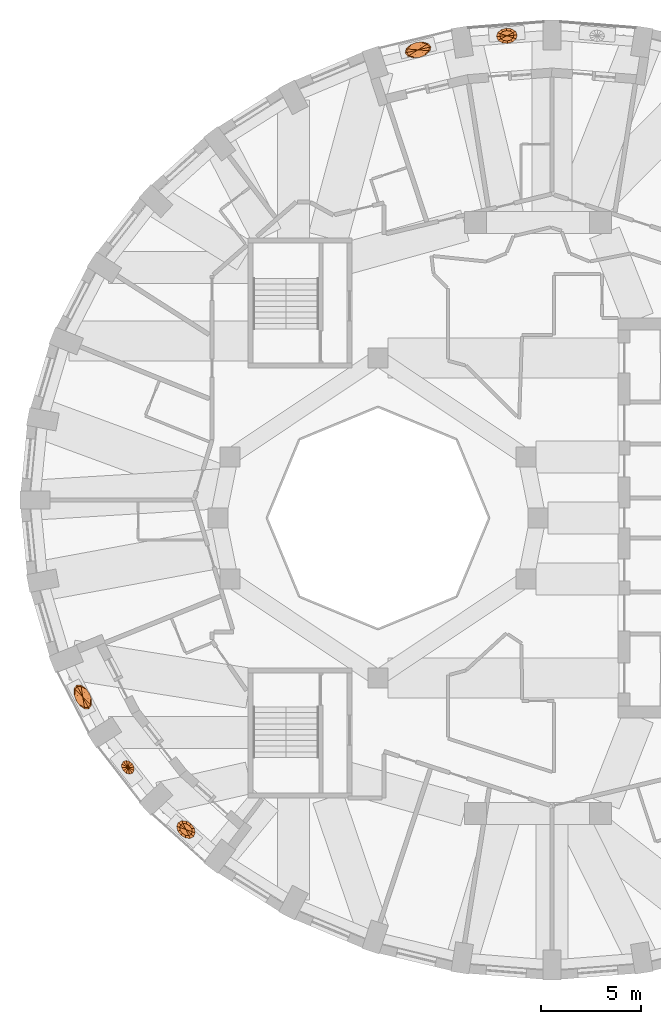
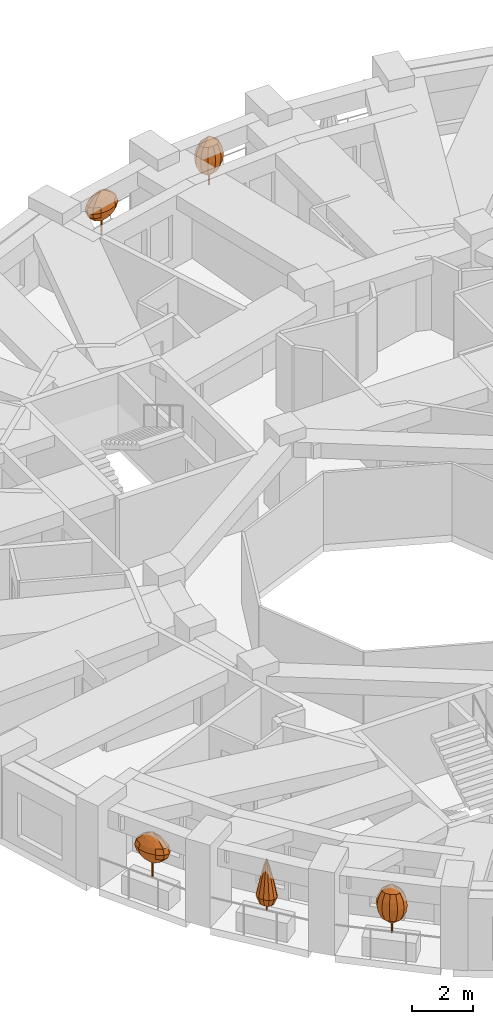
# One storey, part 11 of 12: 5 geographic elements.
"""IFC4 building model written with IfcOpenShell, lengths in metres."""

from ifc_helpers import new_model, si_unit, direction, frame, origin, place, context, subcontext, project, spatial, faceted_brep, material, constituent, constituent_set, type_object, element, save


model = new_model("IFC4")

# Units and contexts
model_context = context("Model", 3, precision=1e-05, world=origin(), true_north=direction((0.0, 1.0)))
body_context = subcontext(model_context, "Body", "Model", "MODEL_VIEW")
ifc_project = project(units=[si_unit("LENGTHUNIT", "METRE"), si_unit("AREAUNIT", "SQUARE_METRE"), si_unit("VOLUMEUNIT", "CUBIC_METRE"), si_unit("PLANEANGLEUNIT", "RADIAN"), si_unit("MASSUNIT", "GRAM", prefix="KILO")], contexts=[model_context])

# Site, building, storey
site_placement = place(None, origin())
site = spatial("IfcSite", under=ifc_project, at=site_placement, CompositionType="ELEMENT")
building_placement = place(site_placement, origin())
building = spatial("IfcBuilding", under=site, at=building_placement, Name="Taillehof Tower", CompositionType="ELEMENT")
storey_placement = place(building_placement, frame((0.0, 0.0, 225.5)))
storey = spatial("IfcBuildingStorey", under=building, at=storey_placement, Name="L64", CompositionType="ELEMENT", Elevation=225.5)

# Geographic elements
ifc_material_1 = material(Name="Tree bark", Category="timber")
ifc_constituent_1 = constituent(ifc_material_1, Name="Trunk", Category="timber")
ifc_material_2 = material(Name="Tree foliage")
ifc_constituent_2 = constituent(ifc_material_2, Name="Crown")
ifc_constituent_set_1 = constituent_set(constituents=[ifc_constituent_1, ifc_constituent_2], Name="Tree TR2 Fastigiate yew")
geographic_element_type_1 = type_object("IfcGeographicElementType", Name="Tree TR2 Fastigiate yew", PredefinedType="USERDEFINED", material=ifc_constituent_set_1)
geographic_element_1_placement = place(storey_placement, frame((-1.555419921875, 24.110595703125, 0.75)))
element("IfcGeographicElement", 1, at=geographic_element_1_placement, inside=storey, type_object=geographic_element_type_1, Name="Tree TR2 Fastigiate yew", ObjectType="TREE", PredefinedType="USERDEFINED", context=body_context, shape_type="Brep", body=[
    faceted_brep([(0.034912109375, 0.0, 0.0), (0.024658203125, 0.024658203125, 0.0), (0.024658203125, 0.024658203125, 0.909912109375), (0.034912109375, 0.0, 0.909912109375), (0.0, 0.034912109375, 0.0), (0.0, 0.034912109375, 0.909912109375), (-0.024658203125, 0.024658203125, 0.0), (-0.024658203125, 0.024658203125, 0.909912109375), (-0.034912109375, 0.0, 0.0), (-0.034912109375, 0.0, 0.909912109375), (-0.024658203125, -0.024658203125, 0.0), (-0.024658203125, -0.024658203125, 0.909912109375), (0.0, -0.034912109375, 0.0), (0.0, -0.034912109375, 0.909912109375), (0.024658203125, -0.024658203125, 0.0), (0.024658203125, -0.024658203125, 0.909912109375)], [[[0, 1, 2, 3]], [[1, 4, 5, 2]], [[4, 6, 7, 5]], [[6, 8, 9, 7]], [[8, 10, 11, 9]], [[10, 12, 13, 11]], [[12, 14, 15, 13]], [[14, 0, 3, 15]], [[14, 12, 10, 8, 6, 4, 1, 0]], [[3, 2, 5, 7, 9, 11, 13, 15]]]),
    faceted_brep([(0.0, 0.0, 0.35009765625), (-0.2978515625, -0.153564453125, 0.61669921875), (-0.355712890625, -0.028076171875, 0.61669921875), (-0.16015625, -0.238037109375, 0.61669921875), (0.020263671875, -0.2587890625, 0.61669921875), (0.195556640625, -0.2099609375, 0.61669921875), (0.318359375, -0.105224609375, 0.61669921875), (0.355712890625, 0.028076171875, 0.61669921875), (0.2978515625, 0.153564453125, 0.61669921875), (0.16015625, 0.238037109375, 0.61669921875), (-0.020263671875, 0.2587890625, 0.61669921875), (-0.195556640625, 0.2099609375, 0.61669921875), (-0.318359375, 0.105224609375, 0.61669921875), (-0.403076171875, -0.207763671875, 0.88330078125), (-0.481201171875, -0.037841796875, 0.88330078125), (-0.216796875, -0.322021484375, 0.88330078125), (0.027587890625, -0.35009765625, 0.88330078125), (0.264404296875, -0.2841796875, 0.88330078125), (0.4306640625, -0.14208984375, 0.88330078125), (0.481201171875, 0.037841796875, 0.88330078125), (0.403076171875, 0.207763671875, 0.88330078125), (0.216796875, 0.322021484375, 0.88330078125), (-0.027587890625, 0.35009765625, 0.88330078125), (-0.264404296875, 0.2841796875, 0.88330078125), (-0.4306640625, 0.14208984375, 0.88330078125), (-0.436279296875, -0.224853515625, 1.14990234375), (-0.52099609375, -0.041015625, 1.14990234375), (-0.234619140625, -0.3486328125, 1.14990234375), (0.02978515625, -0.37890625, 1.14990234375), (0.286376953125, -0.3076171875, 1.14990234375), (0.466064453125, -0.15380859375, 1.14990234375), (0.52099609375, 0.041015625, 1.14990234375), (0.436279296875, 0.224853515625, 1.14990234375), (0.234619140625, 0.3486328125, 1.14990234375), (-0.02978515625, 0.37890625, 1.14990234375), (-0.286376953125, 0.3076171875, 1.14990234375), (-0.466064453125, 0.15380859375, 1.14990234375), (-0.403076171875, -0.207763671875, 1.416748046875), (-0.481201171875, -0.037841796875, 1.416748046875), (-0.216796875, -0.322021484375, 1.416748046875), (0.027587890625, -0.35009765625, 1.416748046875), (0.264404296875, -0.2841796875, 1.416748046875), (0.4306640625, -0.14208984375, 1.416748046875), (0.481201171875, 0.037841796875, 1.416748046875), (0.403076171875, 0.207763671875, 1.416748046875), (0.216796875, 0.322021484375, 1.416748046875), (-0.027587890625, 0.35009765625, 1.416748046875), (-0.264404296875, 0.2841796875, 1.416748046875), (-0.4306640625, 0.14208984375, 1.416748046875), (-0.2978515625, -0.153564453125, 1.683349609375), (-0.355712890625, -0.028076171875, 1.683349609375), (-0.16015625, -0.238037109375, 1.683349609375), (0.020263671875, -0.2587890625, 1.683349609375), (0.195556640625, -0.2099609375, 1.683349609375), (0.318359375, -0.105224609375, 1.683349609375), (0.355712890625, 0.028076171875, 1.683349609375), (0.2978515625, 0.153564453125, 1.683349609375), (0.16015625, 0.238037109375, 1.683349609375), (-0.020263671875, 0.2587890625, 1.683349609375), (-0.195556640625, 0.2099609375, 1.683349609375), (-0.318359375, 0.105224609375, 1.683349609375), (0.0, 0.0, 1.949951171875)], [[[0, 1, 2]], [[0, 3, 1]], [[0, 4, 3]], [[0, 5, 4]], [[0, 6, 5]], [[0, 7, 6]], [[0, 8, 7]], [[0, 9, 8]], [[0, 10, 9]], [[0, 11, 10]], [[0, 12, 11]], [[0, 2, 12]], [[2, 1, 13, 14]], [[1, 3, 15, 13]], [[3, 4, 16, 15]], [[4, 5, 17, 16]], [[5, 6, 18, 17]], [[6, 7, 19, 18]], [[7, 8, 20, 19]], [[8, 9, 21, 20]], [[9, 10, 22, 21]], [[10, 11, 23, 22]], [[11, 12, 24, 23]], [[12, 2, 14, 24]], [[14, 13, 25, 26]], [[13, 15, 27, 25]], [[15, 16, 28, 27]], [[16, 17, 29, 28]], [[17, 18, 30, 29]], [[18, 19, 31, 30]], [[19, 20, 32, 31]], [[20, 21, 33, 32]], [[21, 22, 34, 33]], [[22, 23, 35, 34]], [[23, 24, 36, 35]], [[24, 14, 26, 36]], [[26, 25, 37, 38]], [[25, 27, 39, 37]], [[27, 28, 40, 39]], [[28, 29, 41, 40]], [[29, 30, 42, 41]], [[30, 31, 43, 42]], [[31, 32, 44, 43]], [[32, 33, 45, 44]], [[33, 34, 46, 45]], [[34, 35, 47, 46]], [[35, 36, 48, 47]], [[36, 26, 38, 48]], [[38, 37, 49, 50]], [[37, 39, 51, 49]], [[39, 40, 52, 51]], [[40, 41, 53, 52]], [[41, 42, 54, 53]], [[42, 43, 55, 54]], [[43, 44, 56, 55]], [[44, 45, 57, 56]], [[45, 46, 58, 57]], [[46, 47, 59, 58]], [[47, 48, 60, 59]], [[48, 38, 50, 60]], [[50, 49, 61]], [[49, 51, 61]], [[51, 52, 61]], [[52, 53, 61]], [[53, 54, 61]], [[54, 55, 61]], [[55, 56, 61]], [[56, 57, 61]], [[57, 58, 61]], [[58, 59, 61]], [[59, 60, 61]], [[60, 50, 61]]]),
])
geographic_element_2_placement = place(storey_placement, frame((-17.60205078125, -15.57861328125, 0.75)))
element("IfcGeographicElement", 2, at=geographic_element_2_placement, inside=storey, type_object=geographic_element_type_1, Name="Tree TR2 Fastigiate yew", ObjectType="TREE", PredefinedType="USERDEFINED", context=body_context, shape_type="Brep", body=[
    faceted_brep([(0.034912109375, 0.0, 0.0), (0.024658203125, 0.024658203125, 0.0), (0.024658203125, 0.024658203125, 0.909912109375), (0.034912109375, 0.0, 0.909912109375), (0.0, 0.034912109375, 0.0), (0.0, 0.034912109375, 0.909912109375), (-0.024658203125, 0.024658203125, 0.0), (-0.024658203125, 0.024658203125, 0.909912109375), (-0.034912109375, 0.0, 0.0), (-0.034912109375, 0.0, 0.909912109375), (-0.024658203125, -0.024658203125, 0.0), (-0.024658203125, -0.024658203125, 0.909912109375), (0.0, -0.034912109375, 0.0), (0.0, -0.034912109375, 0.909912109375), (0.024658203125, -0.024658203125, 0.0), (0.024658203125, -0.024658203125, 0.909912109375)], [[[0, 1, 2, 3]], [[1, 4, 5, 2]], [[4, 6, 7, 5]], [[6, 8, 9, 7]], [[8, 10, 11, 9]], [[10, 12, 13, 11]], [[12, 14, 15, 13]], [[14, 0, 3, 15]], [[14, 12, 10, 8, 6, 4, 1, 0]], [[3, 2, 5, 7, 9, 11, 13, 15]]]),
    faceted_brep([(0.0, 0.0, 0.35009765625), (0.316650390625, -0.110107421875, 0.61669921875), (0.265380859375, -0.23876953125, 0.61669921875), (0.282958984375, 0.0478515625, 0.61669921875), (0.173583984375, 0.19287109375, 0.61669921875), (0.017578125, 0.286376953125, 0.61669921875), (-0.14306640625, 0.30322265625, 0.61669921875), (-0.265380859375, 0.23876953125, 0.61669921875), (-0.316650390625, 0.110107421875, 0.61669921875), (-0.282958984375, -0.0478515625, 0.61669921875), (-0.173583984375, -0.19287109375, 0.61669921875), (-0.017578125, -0.286376953125, 0.61669921875), (0.14306640625, -0.30322265625, 0.61669921875), (0.42822265625, -0.149169921875, 0.88330078125), (0.35888671875, -0.32275390625, 0.88330078125), (0.3828125, 0.064697265625, 0.88330078125), (0.23486328125, 0.260986328125, 0.88330078125), (0.02392578125, 0.387451171875, 0.88330078125), (-0.193359375, 0.41015625, 0.88330078125), (-0.35888671875, 0.32275390625, 0.88330078125), (-0.42822265625, 0.149169921875, 0.88330078125), (-0.3828125, -0.064697265625, 0.88330078125), (-0.23486328125, -0.260986328125, 0.88330078125), (-0.02392578125, -0.387451171875, 0.88330078125), (0.193359375, -0.41015625, 0.88330078125), (0.46337890625, -0.161376953125, 1.14990234375), (0.388427734375, -0.349365234375, 1.14990234375), (0.414306640625, 0.06982421875, 1.14990234375), (0.254150390625, 0.282470703125, 1.14990234375), (0.02587890625, 0.41943359375, 1.14990234375), (-0.209228515625, 0.44384765625, 1.14990234375), (-0.388427734375, 0.349365234375, 1.14990234375), (-0.46337890625, 0.161376953125, 1.14990234375), (-0.414306640625, -0.06982421875, 1.14990234375), (-0.254150390625, -0.282470703125, 1.14990234375), (-0.02587890625, -0.41943359375, 1.14990234375), (0.209228515625, -0.44384765625, 1.14990234375), (0.42822265625, -0.149169921875, 1.416748046875), (0.35888671875, -0.32275390625, 1.416748046875), (0.3828125, 0.064697265625, 1.416748046875), (0.23486328125, 0.260986328125, 1.416748046875), (0.02392578125, 0.387451171875, 1.416748046875), (-0.193359375, 0.41015625, 1.416748046875), (-0.35888671875, 0.32275390625, 1.416748046875), (-0.42822265625, 0.149169921875, 1.416748046875), (-0.3828125, -0.064697265625, 1.416748046875), (-0.23486328125, -0.260986328125, 1.416748046875), (-0.02392578125, -0.387451171875, 1.416748046875), (0.193359375, -0.41015625, 1.416748046875), (0.316650390625, -0.110107421875, 1.683349609375), (0.265380859375, -0.23876953125, 1.683349609375), (0.282958984375, 0.0478515625, 1.683349609375), (0.173583984375, 0.19287109375, 1.683349609375), (0.017578125, 0.286376953125, 1.683349609375), (-0.14306640625, 0.30322265625, 1.683349609375), (-0.265380859375, 0.23876953125, 1.683349609375), (-0.316650390625, 0.110107421875, 1.683349609375), (-0.282958984375, -0.0478515625, 1.683349609375), (-0.173583984375, -0.19287109375, 1.683349609375), (-0.017578125, -0.286376953125, 1.683349609375), (0.14306640625, -0.30322265625, 1.683349609375), (0.0, 0.0, 1.949951171875)], [[[0, 1, 2]], [[0, 3, 1]], [[0, 4, 3]], [[0, 5, 4]], [[0, 6, 5]], [[0, 7, 6]], [[0, 8, 7]], [[0, 9, 8]], [[0, 10, 9]], [[0, 11, 10]], [[0, 12, 11]], [[0, 2, 12]], [[2, 1, 13, 14]], [[1, 3, 15, 13]], [[3, 4, 16, 15]], [[4, 5, 17, 16]], [[5, 6, 18, 17]], [[6, 7, 19, 18]], [[7, 8, 20, 19]], [[8, 9, 21, 20]], [[9, 10, 22, 21]], [[10, 11, 23, 22]], [[11, 12, 24, 23]], [[12, 2, 14, 24]], [[14, 13, 25, 26]], [[13, 15, 27, 25]], [[15, 16, 28, 27]], [[16, 17, 29, 28]], [[17, 18, 30, 29]], [[18, 19, 31, 30]], [[19, 20, 32, 31]], [[20, 21, 33, 32]], [[21, 22, 34, 33]], [[22, 23, 35, 34]], [[23, 24, 36, 35]], [[24, 14, 26, 36]], [[26, 25, 37, 38]], [[25, 27, 39, 37]], [[27, 28, 40, 39]], [[28, 29, 41, 40]], [[29, 30, 42, 41]], [[30, 31, 43, 42]], [[31, 32, 44, 43]], [[32, 33, 45, 44]], [[33, 34, 46, 45]], [[34, 35, 47, 46]], [[35, 36, 48, 47]], [[36, 26, 38, 48]], [[38, 37, 49, 50]], [[37, 39, 51, 49]], [[39, 40, 52, 51]], [[40, 41, 53, 52]], [[41, 42, 54, 53]], [[42, 43, 55, 54]], [[43, 44, 56, 55]], [[44, 45, 57, 56]], [[45, 46, 58, 57]], [[46, 47, 59, 58]], [[47, 48, 60, 59]], [[48, 38, 50, 60]], [[50, 49, 61]], [[49, 51, 61]], [[51, 52, 61]], [[52, 53, 61]], [[53, 54, 61]], [[54, 55, 61]], [[55, 56, 61]], [[56, 57, 61]], [[57, 58, 61]], [[58, 59, 61]], [[59, 60, 61]], [[60, 50, 61]]]),
])
ifc_material_3 = material(Name="Tree bark", Category="timber")
ifc_constituent_3 = constituent(ifc_material_3, Name="Trunk", Category="timber")
ifc_material_4 = material(Name="Tree foliage")
ifc_constituent_4 = constituent(ifc_material_4, Name="Crown")
ifc_constituent_set_2 = constituent_set(constituents=[ifc_constituent_3, ifc_constituent_4], Name="Tree TR4 Sea buckthorn standard")
geographic_element_type_2 = type_object("IfcGeographicElementType", Name="Tree TR4 Sea buckthorn standard", PredefinedType="USERDEFINED", material=ifc_constituent_set_2)
geographic_element_3_placement = place(storey_placement, frame((-5.997802734375, 23.406005859375, 0.75)))
element("IfcGeographicElement", 3, at=geographic_element_3_placement, inside=storey, type_object=geographic_element_type_2, Name="Tree TR4 Sea buckthorn standard", ObjectType="TREE", PredefinedType="USERDEFINED", context=body_context, shape_type="Brep", body=[
    faceted_brep([(0.030029296875, 0.0, 0.0), (0.021240234375, 0.021240234375, 0.0), (0.021240234375, 0.021240234375, 0.98095703125), (0.030029296875, 0.0, 0.98095703125), (0.0, 0.030029296875, 0.0), (0.0, 0.030029296875, 0.98095703125), (-0.021240234375, 0.021240234375, 0.0), (-0.021240234375, 0.021240234375, 0.98095703125), (-0.030029296875, 0.0, 0.0), (-0.030029296875, 0.0, 0.98095703125), (-0.021240234375, -0.021240234375, 0.0), (-0.021240234375, -0.021240234375, 0.98095703125), (0.0, -0.030029296875, 0.0), (0.0, -0.030029296875, 0.98095703125), (0.021240234375, -0.021240234375, 0.0), (0.021240234375, -0.021240234375, 0.98095703125)], [[[0, 1, 2, 3]], [[1, 4, 5, 2]], [[4, 6, 7, 5]], [[6, 8, 9, 7]], [[8, 10, 11, 9]], [[10, 12, 13, 11]], [[12, 14, 15, 13]], [[14, 0, 3, 15]], [[14, 12, 10, 8, 6, 4, 1, 0]], [[3, 2, 5, 7, 9, 11, 13, 15]]]),
    faceted_brep([(0.0, 0.0, 0.5400390625), (-0.2958984375, -0.18359375, 0.75), (-0.371337890625, -0.089599609375, 0.75), (-0.141357421875, -0.228515625, 0.75), (0.051025390625, -0.212158203125, 0.75), (0.22998046875, -0.138916015625, 0.75), (0.34716796875, -0.028564453125, 0.75), (0.371337890625, 0.089599609375, 0.75), (0.2958984375, 0.18359375, 0.75), (0.141357421875, 0.228515625, 0.75), (-0.051025390625, 0.212158203125, 0.75), (-0.22998046875, 0.138916015625, 0.75), (-0.34716796875, 0.028564453125, 0.75), (-0.459228515625, -0.284912109375, 0.9599609375), (-0.576171875, -0.138916015625, 0.9599609375), (-0.219482421875, -0.3544921875, 0.9599609375), (0.079345703125, -0.329345703125, 0.9599609375), (0.35693359375, -0.2158203125, 0.9599609375), (0.538818359375, -0.04443359375, 0.9599609375), (0.576171875, 0.138916015625, 0.9599609375), (0.459228515625, 0.284912109375, 0.9599609375), (0.219482421875, 0.3544921875, 0.9599609375), (-0.079345703125, 0.329345703125, 0.9599609375), (-0.35693359375, 0.2158203125, 0.9599609375), (-0.538818359375, 0.04443359375, 0.9599609375), (-0.515380859375, -0.319580078125, 1.169921875), (-0.646484375, -0.15576171875, 1.169921875), (-0.24609375, -0.39794921875, 1.169921875), (0.089111328125, -0.369384765625, 1.169921875), (0.400390625, -0.241943359375, 1.169921875), (0.6044921875, -0.0498046875, 1.169921875), (0.646484375, 0.15576171875, 1.169921875), (0.515380859375, 0.319580078125, 1.169921875), (0.24609375, 0.39794921875, 1.169921875), (-0.089111328125, 0.369384765625, 1.169921875), (-0.400390625, 0.241943359375, 1.169921875), (-0.6044921875, 0.0498046875, 1.169921875), (-0.459228515625, -0.284912109375, 1.3798828125), (-0.576171875, -0.138916015625, 1.3798828125), (-0.219482421875, -0.3544921875, 1.3798828125), (0.079345703125, -0.329345703125, 1.3798828125), (0.35693359375, -0.2158203125, 1.3798828125), (0.538818359375, -0.04443359375, 1.3798828125), (0.576171875, 0.138916015625, 1.3798828125), (0.459228515625, 0.284912109375, 1.3798828125), (0.219482421875, 0.3544921875, 1.3798828125), (-0.079345703125, 0.329345703125, 1.3798828125), (-0.35693359375, 0.2158203125, 1.3798828125), (-0.538818359375, 0.04443359375, 1.3798828125), (-0.2958984375, -0.18359375, 1.590087890625), (-0.371337890625, -0.089599609375, 1.590087890625), (-0.141357421875, -0.228515625, 1.590087890625), (0.051025390625, -0.212158203125, 1.590087890625), (0.22998046875, -0.138916015625, 1.590087890625), (0.34716796875, -0.028564453125, 1.590087890625), (0.371337890625, 0.089599609375, 1.590087890625), (0.2958984375, 0.18359375, 1.590087890625), (0.141357421875, 0.228515625, 1.590087890625), (-0.051025390625, 0.212158203125, 1.590087890625), (-0.22998046875, 0.138916015625, 1.590087890625), (-0.34716796875, 0.028564453125, 1.590087890625), (0.0, 0.0, 1.800048828125)], [[[0, 1, 2]], [[0, 3, 1]], [[0, 4, 3]], [[0, 5, 4]], [[0, 6, 5]], [[0, 7, 6]], [[0, 8, 7]], [[0, 9, 8]], [[0, 10, 9]], [[0, 11, 10]], [[0, 12, 11]], [[0, 2, 12]], [[2, 1, 13, 14]], [[1, 3, 15, 13]], [[3, 4, 16, 15]], [[4, 5, 17, 16]], [[5, 6, 18, 17]], [[6, 7, 19, 18]], [[7, 8, 20, 19]], [[8, 9, 21, 20]], [[9, 10, 22, 21]], [[10, 11, 23, 22]], [[11, 12, 24, 23]], [[12, 2, 14, 24]], [[14, 13, 25, 26]], [[13, 15, 27, 25]], [[15, 16, 28, 27]], [[16, 17, 29, 28]], [[17, 18, 30, 29]], [[18, 19, 31, 30]], [[19, 20, 32, 31]], [[20, 21, 33, 32]], [[21, 22, 34, 33]], [[22, 23, 35, 34]], [[23, 24, 36, 35]], [[24, 14, 26, 36]], [[26, 25, 37, 38]], [[25, 27, 39, 37]], [[27, 28, 40, 39]], [[28, 29, 41, 40]], [[29, 30, 42, 41]], [[30, 31, 43, 42]], [[31, 32, 44, 43]], [[32, 33, 45, 44]], [[33, 34, 46, 45]], [[34, 35, 47, 46]], [[35, 36, 48, 47]], [[36, 26, 38, 48]], [[38, 37, 49, 50]], [[37, 39, 51, 49]], [[39, 40, 52, 51]], [[40, 41, 53, 52]], [[41, 42, 54, 53]], [[42, 43, 55, 54]], [[43, 44, 56, 55]], [[44, 45, 57, 56]], [[45, 46, 58, 57]], [[46, 47, 59, 58]], [[47, 48, 60, 59]], [[48, 38, 50, 60]], [[50, 49, 61]], [[49, 51, 61]], [[51, 52, 61]], [[52, 53, 61]], [[53, 54, 61]], [[54, 55, 61]], [[55, 56, 61]], [[56, 57, 61]], [[57, 58, 61]], [[58, 59, 61]], [[59, 60, 61]], [[60, 50, 61]]]),
])
geographic_element_4_placement = place(storey_placement, frame((-22.760986328125, -8.9501953125, 0.75)))
element("IfcGeographicElement", 4, at=geographic_element_4_placement, inside=storey, type_object=geographic_element_type_2, Name="Tree TR4 Sea buckthorn standard", ObjectType="TREE", PredefinedType="USERDEFINED", context=body_context, shape_type="Brep", body=[
    faceted_brep([(0.030029296875, 0.0, 0.0), (0.021240234375, 0.021240234375, 0.0), (0.021240234375, 0.021240234375, 0.98095703125), (0.030029296875, 0.0, 0.98095703125), (0.0, 0.030029296875, 0.0), (0.0, 0.030029296875, 0.98095703125), (-0.021240234375, 0.021240234375, 0.0), (-0.021240234375, 0.021240234375, 0.98095703125), (-0.030029296875, 0.0, 0.0), (-0.030029296875, 0.0, 0.98095703125), (-0.021240234375, -0.021240234375, 0.0), (-0.021240234375, -0.021240234375, 0.98095703125), (0.0, -0.030029296875, 0.0), (0.0, -0.030029296875, 0.98095703125), (0.021240234375, -0.021240234375, 0.0), (0.021240234375, -0.021240234375, 0.98095703125)], [[[0, 1, 2, 3]], [[1, 4, 5, 2]], [[4, 6, 7, 5]], [[6, 8, 9, 7]], [[8, 10, 11, 9]], [[10, 12, 13, 11]], [[12, 14, 15, 13]], [[14, 0, 3, 15]], [[14, 12, 10, 8, 6, 4, 1, 0]], [[3, 2, 5, 7, 9, 11, 13, 15]]]),
    faceted_brep([(0.0, 0.0, 0.5400390625), (0.2490234375, -0.243408203125, 0.75), (0.17578125, -0.339111328125, 0.75), (0.255615234375, -0.08251953125, 0.75), (0.19384765625, 0.100341796875, 0.75), (0.079833984375, 0.256591796875, 0.75), (-0.055419921875, 0.343994140625, 0.75), (-0.17578125, 0.339111328125, 0.75), (-0.2490234375, 0.243408203125, 0.75), (-0.255615234375, 0.08251953125, 0.75), (-0.19384765625, -0.100341796875, 0.75), (-0.079833984375, -0.256591796875, 0.75), (0.055419921875, -0.343994140625, 0.75), (0.386474609375, -0.377685546875, 0.9599609375), (0.272705078125, -0.526123046875, 0.9599609375), (0.396728515625, -0.128173828125, 0.9599609375), (0.30078125, 0.15576171875, 0.9599609375), (0.1240234375, 0.398193359375, 0.9599609375), (-0.0859375, 0.53369140625, 0.9599609375), (-0.272705078125, 0.526123046875, 0.9599609375), (-0.386474609375, 0.377685546875, 0.9599609375), (-0.396728515625, 0.128173828125, 0.9599609375), (-0.30078125, -0.15576171875, 0.9599609375), (-0.1240234375, -0.398193359375, 0.9599609375), (0.0859375, -0.53369140625, 0.9599609375), (0.433837890625, -0.423828125, 1.169921875), (0.30615234375, -0.59033203125, 1.169921875), (0.445068359375, -0.143798828125, 1.169921875), (0.33740234375, 0.1748046875, 1.169921875), (0.13916015625, 0.446533203125, 1.169921875), (-0.096435546875, 0.5986328125, 1.169921875), (-0.30615234375, 0.59033203125, 1.169921875), (-0.433837890625, 0.423828125, 1.169921875), (-0.445068359375, 0.143798828125, 1.169921875), (-0.33740234375, -0.1748046875, 1.169921875), (-0.13916015625, -0.446533203125, 1.169921875), (0.096435546875, -0.5986328125, 1.169921875), (0.386474609375, -0.377685546875, 1.3798828125), (0.272705078125, -0.526123046875, 1.3798828125), (0.396728515625, -0.128173828125, 1.3798828125), (0.30078125, 0.15576171875, 1.3798828125), (0.1240234375, 0.398193359375, 1.3798828125), (-0.0859375, 0.53369140625, 1.3798828125), (-0.272705078125, 0.526123046875, 1.3798828125), (-0.386474609375, 0.377685546875, 1.3798828125), (-0.396728515625, 0.128173828125, 1.3798828125), (-0.30078125, -0.15576171875, 1.3798828125), (-0.1240234375, -0.398193359375, 1.3798828125), (0.0859375, -0.53369140625, 1.3798828125), (0.2490234375, -0.243408203125, 1.590087890625), (0.17578125, -0.339111328125, 1.590087890625), (0.255615234375, -0.08251953125, 1.590087890625), (0.19384765625, 0.100341796875, 1.590087890625), (0.079833984375, 0.256591796875, 1.590087890625), (-0.055419921875, 0.343994140625, 1.590087890625), (-0.17578125, 0.339111328125, 1.590087890625), (-0.2490234375, 0.243408203125, 1.590087890625), (-0.255615234375, 0.08251953125, 1.590087890625), (-0.19384765625, -0.100341796875, 1.590087890625), (-0.079833984375, -0.256591796875, 1.590087890625), (0.055419921875, -0.343994140625, 1.590087890625), (0.0, 0.0, 1.800048828125)], [[[0, 1, 2]], [[0, 3, 1]], [[0, 4, 3]], [[0, 5, 4]], [[0, 6, 5]], [[0, 7, 6]], [[0, 8, 7]], [[0, 9, 8]], [[0, 10, 9]], [[0, 11, 10]], [[0, 12, 11]], [[0, 2, 12]], [[2, 1, 13, 14]], [[1, 3, 15, 13]], [[3, 4, 16, 15]], [[4, 5, 17, 16]], [[5, 6, 18, 17]], [[6, 7, 19, 18]], [[7, 8, 20, 19]], [[8, 9, 21, 20]], [[9, 10, 22, 21]], [[10, 11, 23, 22]], [[11, 12, 24, 23]], [[12, 2, 14, 24]], [[14, 13, 25, 26]], [[13, 15, 27, 25]], [[15, 16, 28, 27]], [[16, 17, 29, 28]], [[17, 18, 30, 29]], [[18, 19, 31, 30]], [[19, 20, 32, 31]], [[20, 21, 33, 32]], [[21, 22, 34, 33]], [[22, 23, 35, 34]], [[23, 24, 36, 35]], [[24, 14, 26, 36]], [[26, 25, 37, 38]], [[25, 27, 39, 37]], [[27, 28, 40, 39]], [[28, 29, 41, 40]], [[29, 30, 42, 41]], [[30, 31, 43, 42]], [[31, 32, 44, 43]], [[32, 33, 45, 44]], [[33, 34, 46, 45]], [[34, 35, 47, 46]], [[35, 36, 48, 47]], [[36, 26, 38, 48]], [[38, 37, 49, 50]], [[37, 39, 51, 49]], [[39, 40, 52, 51]], [[40, 41, 53, 52]], [[41, 42, 54, 53]], [[42, 43, 55, 54]], [[43, 44, 56, 55]], [[44, 45, 57, 56]], [[45, 46, 58, 57]], [[46, 47, 59, 58]], [[47, 48, 60, 59]], [[48, 38, 50, 60]], [[50, 49, 61]], [[49, 51, 61]], [[51, 52, 61]], [[52, 53, 61]], [[53, 54, 61]], [[54, 55, 61]], [[55, 56, 61]], [[56, 57, 61]], [[57, 58, 61]], [[58, 59, 61]], [[59, 60, 61]], [[60, 50, 61]]]),
])
ifc_material_5 = material(Name="Tree bark", Category="timber")
ifc_constituent_5 = constituent(ifc_material_5, Name="Trunk", Category="timber")
ifc_material_6 = material(Name="Tree foliage")
ifc_constituent_6 = constituent(ifc_material_6, Name="Crown")
ifc_constituent_set_3 = constituent_set(constituents=[ifc_constituent_5, ifc_constituent_6], Name="Tree TR5 Columnar juniper")
geographic_element_type_3 = type_object("IfcGeographicElementType", Name="Tree TR5 Columnar juniper", PredefinedType="USERDEFINED", material=ifc_constituent_set_3)
geographic_element_5_placement = place(storey_placement, frame((-20.50341796875, -12.468017578125, 0.75)))
element("IfcGeographicElement", 5, at=geographic_element_5_placement, inside=storey, type_object=geographic_element_type_3, Name="Tree TR5 Columnar juniper", ObjectType="TREE", PredefinedType="USERDEFINED", context=body_context, shape_type="Brep", body=[
    faceted_brep([(0.02490234375, 0.0, 0.0), (0.017578125, 0.017578125, 0.0), (0.017578125, 0.017578125, 0.929931640625), (0.02490234375, 0.0, 0.929931640625), (0.0, 0.02490234375, 0.0), (0.0, 0.02490234375, 0.929931640625), (-0.017578125, 0.017578125, 0.0), (-0.017578125, 0.017578125, 0.929931640625), (-0.02490234375, 0.0, 0.0), (-0.02490234375, 0.0, 0.929931640625), (-0.017578125, -0.017578125, 0.0), (-0.017578125, -0.017578125, 0.929931640625), (0.0, -0.02490234375, 0.0), (0.0, -0.02490234375, 0.929931640625), (0.017578125, -0.017578125, 0.0), (0.017578125, -0.017578125, 0.929931640625)], [[[0, 1, 2, 3]], [[1, 4, 5, 2]], [[4, 6, 7, 5]], [[6, 8, 9, 7]], [[8, 10, 11, 9]], [[10, 12, 13, 11]], [[12, 14, 15, 13]], [[14, 0, 3, 15]], [[14, 12, 10, 8, 6, 4, 1, 0]], [[3, 2, 5, 7, 9, 11, 13, 15]]]),
    faceted_brep([(0.152099609375, -0.1953125, 0.300048828125), (0.20751953125, -0.110107421875, 0.300048828125), (0.309814453125, -0.164306640625, 0.60009765625), (0.22705078125, -0.29150390625, 0.60009765625), (0.20751953125, 0.004638671875, 0.300048828125), (0.309814453125, 0.007080078125, 0.60009765625), (0.15185546875, 0.1181640625, 0.300048828125), (0.226806640625, 0.176513671875, 0.60009765625), (0.055419921875, 0.199951171875, 0.300048828125), (0.0830078125, 0.298583984375, 0.60009765625), (-0.0556640625, 0.228271484375, 0.300048828125), (-0.083251953125, 0.3408203125, 0.60009765625), (-0.152099609375, 0.1953125, 0.300048828125), (-0.22705078125, 0.29150390625, 0.60009765625), (-0.20751953125, 0.110107421875, 0.300048828125), (-0.309814453125, 0.164306640625, 0.60009765625), (-0.20751953125, -0.004638671875, 0.300048828125), (-0.309814453125, -0.007080078125, 0.60009765625), (-0.15185546875, -0.1181640625, 0.300048828125), (-0.226806640625, -0.176513671875, 0.60009765625), (-0.055419921875, -0.199951171875, 0.300048828125), (-0.0830078125, -0.298583984375, 0.60009765625), (0.0556640625, -0.228271484375, 0.300048828125), (0.083251953125, -0.3408203125, 0.60009765625), (0.25927734375, -0.137451171875, 0.89990234375), (0.18994140625, -0.243896484375, 0.89990234375), (0.25927734375, 0.005859375, 0.89990234375), (0.189697265625, 0.147705078125, 0.89990234375), (0.0693359375, 0.249755859375, 0.89990234375), (-0.069580078125, 0.28515625, 0.89990234375), (-0.18994140625, 0.243896484375, 0.89990234375), (-0.25927734375, 0.137451171875, 0.89990234375), (-0.25927734375, -0.005859375, 0.89990234375), (-0.189697265625, -0.147705078125, 0.89990234375), (-0.0693359375, -0.249755859375, 0.89990234375), (0.069580078125, -0.28515625, 0.89990234375), (0.2060546875, -0.109130859375, 1.199951171875), (0.15087890625, -0.19384765625, 1.199951171875), (0.205810546875, 0.004638671875, 1.199951171875), (0.150634765625, 0.1171875, 1.199951171875), (0.05517578125, 0.198486328125, 1.199951171875), (-0.05517578125, 0.2265625, 1.199951171875), (-0.15087890625, 0.19384765625, 1.199951171875), (-0.2060546875, 0.109130859375, 1.199951171875), (-0.205810546875, -0.004638671875, 1.199951171875), (-0.150634765625, -0.1171875, 1.199951171875), (-0.05517578125, -0.198486328125, 1.199951171875), (0.05517578125, -0.2265625, 1.199951171875), (0.14892578125, -0.078857421875, 1.5), (0.109130859375, -0.14013671875, 1.5), (0.14892578125, 0.00341796875, 1.5), (0.10888671875, 0.084716796875, 1.5), (0.039794921875, 0.1435546875, 1.5), (-0.0400390625, 0.163818359375, 1.5), (-0.109130859375, 0.14013671875, 1.5), (-0.14892578125, 0.078857421875, 1.5), (-0.14892578125, -0.00341796875, 1.5), (-0.10888671875, -0.084716796875, 1.5), (-0.039794921875, -0.1435546875, 1.5), (0.0400390625, -0.163818359375, 1.5), (0.08544921875, -0.04541015625, 1.800048828125), (0.062744140625, -0.08056640625, 1.800048828125), (0.08544921875, 0.001953125, 1.800048828125), (0.0625, 0.048828125, 1.800048828125), (0.02294921875, 0.08251953125, 1.800048828125), (-0.02294921875, 0.093994140625, 1.800048828125), (-0.062744140625, 0.08056640625, 1.800048828125), (-0.08544921875, 0.04541015625, 1.800048828125), (-0.08544921875, -0.001953125, 1.800048828125), (-0.0625, -0.048828125, 1.800048828125), (-0.02294921875, -0.08251953125, 1.800048828125), (0.02294921875, -0.093994140625, 1.800048828125), (0.0, 0.0, 2.10009765625)], [[[0, 1, 2, 3]], [[1, 4, 5, 2]], [[4, 6, 7, 5]], [[6, 8, 9, 7]], [[8, 10, 11, 9]], [[10, 12, 13, 11]], [[12, 14, 15, 13]], [[14, 16, 17, 15]], [[16, 18, 19, 17]], [[18, 20, 21, 19]], [[20, 22, 23, 21]], [[22, 0, 3, 23]], [[3, 2, 24, 25]], [[2, 5, 26, 24]], [[5, 7, 27, 26]], [[7, 9, 28, 27]], [[9, 11, 29, 28]], [[11, 13, 30, 29]], [[13, 15, 31, 30]], [[15, 17, 32, 31]], [[17, 19, 33, 32]], [[19, 21, 34, 33]], [[21, 23, 35, 34]], [[23, 3, 25, 35]], [[25, 24, 36, 37]], [[24, 26, 38, 36]], [[26, 27, 39, 38]], [[27, 28, 40, 39]], [[28, 29, 41, 40]], [[29, 30, 42, 41]], [[30, 31, 43, 42]], [[31, 32, 44, 43]], [[32, 33, 45, 44]], [[33, 34, 46, 45]], [[34, 35, 47, 46]], [[35, 25, 37, 47]], [[37, 36, 48, 49]], [[36, 38, 50, 48]], [[38, 39, 51, 50]], [[39, 40, 52, 51]], [[40, 41, 53, 52]], [[41, 42, 54, 53]], [[42, 43, 55, 54]], [[43, 44, 56, 55]], [[44, 45, 57, 56]], [[45, 46, 58, 57]], [[46, 47, 59, 58]], [[47, 37, 49, 59]], [[49, 48, 60, 61]], [[48, 50, 62, 60]], [[50, 51, 63, 62]], [[51, 52, 64, 63]], [[52, 53, 65, 64]], [[53, 54, 66, 65]], [[54, 55, 67, 66]], [[55, 56, 68, 67]], [[56, 57, 69, 68]], [[57, 58, 70, 69]], [[58, 59, 71, 70]], [[59, 49, 61, 71]], [[61, 60, 72]], [[60, 62, 72]], [[62, 63, 72]], [[63, 64, 72]], [[64, 65, 72]], [[65, 66, 72]], [[66, 67, 72]], [[67, 68, 72]], [[68, 69, 72]], [[69, 70, 72]], [[70, 71, 72]], [[71, 61, 72]], [[22, 20, 18, 16, 14, 12, 10, 8, 6, 4, 1, 0]]]),
])

save(model, "model.ifc")
